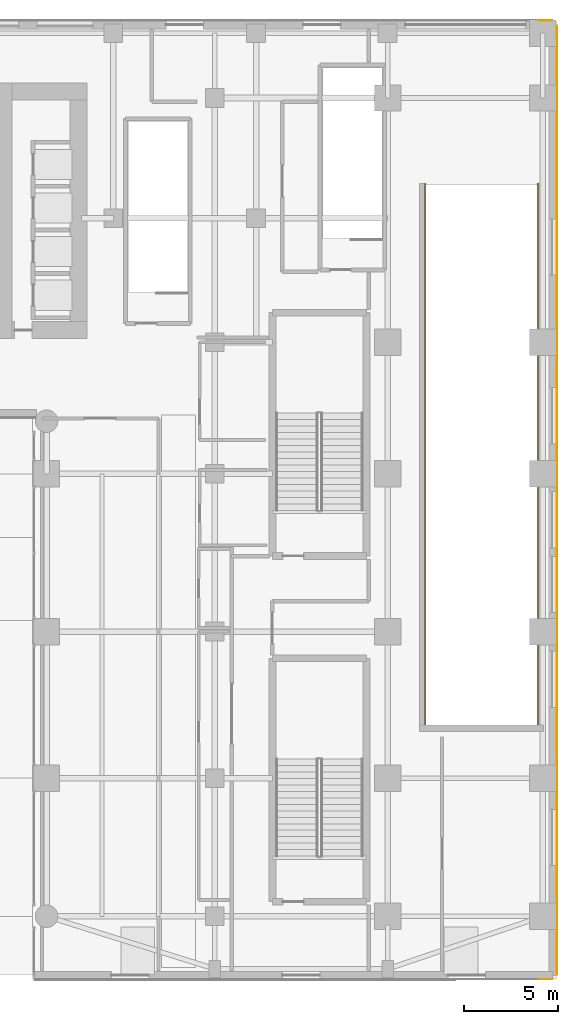
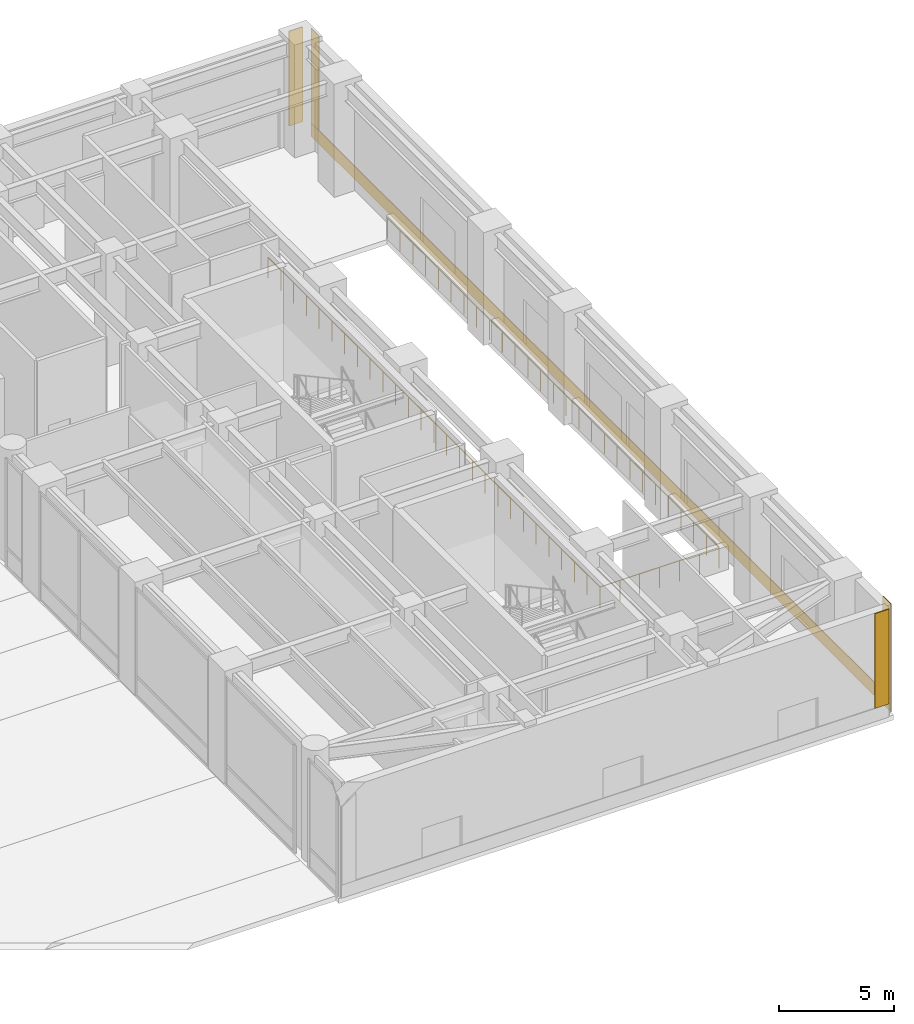
# One storey, part 27 of 28: 5 coverings, 1 railing.
"""IFC4 building model written with IfcOpenShell, lengths in metres."""

from ifc_helpers import new_model, si_unit, direction, frame, origin, origin_2d, place, context, subcontext, project, spatial, polyline, circle, outline, extrude, material, layer, layer_set, type_object, element, save


model = new_model("IFC4")

# Units and contexts
model_context = context("Model", 3, precision=1e-05, world=origin(), true_north=direction((0.0, 1.0)))
body_context = subcontext(model_context, "Body", "Model", "MODEL_VIEW")
ifc_project = project(units=[si_unit("LENGTHUNIT", "METRE"), si_unit("AREAUNIT", "SQUARE_METRE"), si_unit("VOLUMEUNIT", "CUBIC_METRE"), si_unit("PLANEANGLEUNIT", "RADIAN"), si_unit("MASSUNIT", "GRAM", prefix="KILO")], contexts=[model_context])

# Site, building, storey
site_placement = place(None, origin())
site = spatial("IfcSite", under=ifc_project, at=site_placement, CompositionType="ELEMENT")
building_placement = place(site_placement, origin())
building = spatial("IfcBuilding", under=site, at=building_placement, Name="Tolvann Quenvar Hotel", CompositionType="ELEMENT")
storey_placement = place(building_placement, origin())
storey = spatial("IfcBuildingStorey", under=building, at=storey_placement, Name="L00", CompositionType="ELEMENT", Elevation=0.0)

# Coverings
ifc_material_1 = material(Name="Kiln-fired red architectural face brick cladding", Category="masonry")
ifc_layer_1 = layer(ifc_material_1, 0.0400390625)
ifc_layer_set_1 = layer_set([ifc_layer_1], Name="Kiln-fired red architectural face brick cladding")
covering_type_1 = type_object("IfcCoveringType", Name="COV_CLAD_BRICK_40", PredefinedType="CLADDING", material=ifc_layer_set_1)
covering_1_placement = place(storey_placement, frame((0.0, 0.0, 0.699951171875)))
element("IfcCovering", 1, at=covering_1_placement, inside=storey, type_object=covering_type_1, Name="Brick Pier Cladding (L00-E04-P2)", PredefinedType="CLADDING", context=body_context, shape_type="SweptSolid", body=[
    extrude(outline(polyline([(64.43994140625, -2.5), (65.139892578125, -2.5), (65.139892578125, -2.5400390625), (64.43994140625, -2.5400390625), (64.43994140625, -2.5)])), origin(), (0.0, 0.0, 1.0), 5.0400390625),
])
covering_2_placement = place(storey_placement, frame((0.0, 0.0, 0.699951171875)))
element("IfcCovering", 2, at=covering_2_placement, inside=storey, type_object=covering_type_1, Name="Brick Pier Cladding (L00-E05-P1)", PredefinedType="CLADDING", context=body_context, shape_type="SweptSolid", body=[
    extrude(outline(polyline([(65.39990234375, -2.239990234375), (65.39990234375, -1.5400390625), (65.43994140625, -1.5400390625), (65.43994140625, -2.239990234375), (65.39990234375, -2.239990234375)])), origin(), (0.0, 0.0, 1.0), 5.0400390625),
])
covering_3_placement = place(storey_placement, frame((0.0, 0.0, 0.699951171875)))
element("IfcCovering", 3, at=covering_3_placement, inside=storey, type_object=covering_type_1, Name="Brick Pier Cladding (L00-E05-P2)", PredefinedType="CLADDING", context=body_context, shape_type="SweptSolid", body=[
    extrude(outline(polyline([(65.39990234375, 47.5400390625), (65.39990234375, 48.239990234375), (65.43994140625, 48.239990234375), (65.43994140625, 47.5400390625), (65.39990234375, 47.5400390625)])), origin(), (0.0, 0.0, 1.0), 5.0400390625),
])
covering_4_placement = place(storey_placement, frame((0.0, 0.0, 0.699951171875)))
element("IfcCovering", 4, at=covering_4_placement, inside=storey, type_object=covering_type_1, Name="Brick Pier Cladding (L00-E06-P1)", PredefinedType="CLADDING", context=body_context, shape_type="SweptSolid", body=[
    extrude(outline(polyline([(65.139892578125, 48.5), (64.43994140625, 48.5), (64.43994140625, 48.5400390625), (65.139892578125, 48.5400390625), (65.139892578125, 48.5)])), origin(), (0.0, 0.0, 1.0), 5.0400390625),
])
ifc_material_2 = material(Name="Moulded buff architectural terracotta spandrel cladding", Category="masonry")
ifc_layer_2 = layer(ifc_material_2, 0.0400390625)
ifc_layer_set_2 = layer_set([ifc_layer_2], Name="Moulded buff architectural terracotta spandrel cladding")
covering_type_2 = type_object("IfcCoveringType", Name="COV_CLAD_TERRA_40", PredefinedType="CLADDING", material=ifc_layer_set_2)
covering_5_placement = place(storey_placement, origin())
element("IfcCovering", 5, at=covering_5_placement, inside=storey, type_object=covering_type_2, Name="Terracotta Spandrel Cladding (L00-E05)", PredefinedType="CLADDING", context=body_context, shape_type="SweptSolid", body=[
    extrude(outline(polyline([(65.39990234375, -2.25), (65.39990234375, 48.25), (65.43994140625, 48.25), (65.43994140625, -2.25), (65.39990234375, -2.25)])), origin(), (0.0, 0.0, 1.0), 0.699951171875),
])

# Railing
ifc_material_3 = material(Name="Brushed 316 marine-grade stainless steel balustrade and laminated safety glass", Category="steel")
railing_type = type_object("IfcRailingType", Name="RAIL_BAL_1100", PredefinedType="BALUSTRADE", material=ifc_material_3)
railing_placement = place(storey_placement, frame((58.39990234375, 39.85009765625, 0.0)))
element("IfcRailing", 6, at=railing_placement, inside=storey, type_object=railing_type, Name="Safety Balustrade BAL-RAMP-L00-U", PredefinedType="BALUSTRADE", context=body_context, shape_type="SweptSolid", body=[
    extrude(circle(Radius=0.02490234375, at=origin_2d()), frame((0.0, 0.0, 1.09521484375), z_axis=(0.0, -1.0, 0.0), x_axis=(1.0, 0.0, 0.0)), (0.0, 0.0, 1.0), 28.900146484375),
    extrude(circle(Radius=0.02490234375, at=origin_2d()), frame((0.0, -28.900146484375, 1.09521484375), z_axis=(1.0, 0.0, 0.0), x_axis=(0.0, 1.0, 0.0)), (0.0, 0.0, 1.0), 6.0),
    extrude(circle(Radius=0.02490234375, at=origin_2d()), frame((6.0, -28.900146484375, 1.09521484375), z_axis=(0.0, 1.0, 0.0), x_axis=(-1.0, 0.0, 0.0)), (0.0, 0.0, 1.0), 28.900146484375),
    extrude(circle(Radius=0.02197265625, at=origin_2d()), origin(), (0.0, 0.0, 1.0), 1.070068359375),
    extrude(circle(Radius=0.02197265625, at=origin_2d()), frame((0.0, -1.111572265625, 0.0)), (0.0, 0.0, 1.0), 1.070068359375),
    extrude(circle(Radius=0.02197265625, at=origin_2d()), frame((0.0, -2.22314453125, 0.0)), (0.0, 0.0, 1.0), 1.070068359375),
    extrude(circle(Radius=0.02197265625, at=origin_2d()), frame((0.0, -3.334716796875, 0.0)), (0.0, 0.0, 1.0), 1.070068359375),
    extrude(circle(Radius=0.02197265625, at=origin_2d()), frame((0.0, -4.4462890625, 0.0)), (0.0, 0.0, 1.0), 1.070068359375),
    extrude(circle(Radius=0.02197265625, at=origin_2d()), frame((0.0, -5.5576171875, 0.0)), (0.0, 0.0, 1.0), 1.070068359375),
    extrude(circle(Radius=0.02197265625, at=origin_2d()), frame((0.0, -6.669189453125, 0.0)), (0.0, 0.0, 1.0), 1.070068359375),
    extrude(circle(Radius=0.02197265625, at=origin_2d()), frame((0.0, -7.78076171875, 0.0)), (0.0, 0.0, 1.0), 1.070068359375),
    extrude(circle(Radius=0.02197265625, at=origin_2d()), frame((0.0, -8.892333984375, 0.0)), (0.0, 0.0, 1.0), 1.070068359375),
    extrude(circle(Radius=0.02197265625, at=origin_2d()), frame((0.0, -10.00390625, 0.0)), (0.0, 0.0, 1.0), 1.070068359375),
    extrude(circle(Radius=0.02197265625, at=origin_2d()), frame((0.0, -11.115478515625, 0.0)), (0.0, 0.0, 1.0), 1.070068359375),
    extrude(circle(Radius=0.02197265625, at=origin_2d()), frame((0.0, -12.22705078125, 0.0)), (0.0, 0.0, 1.0), 1.070068359375),
    extrude(circle(Radius=0.02197265625, at=origin_2d()), frame((0.0, -13.338623046875, 0.0)), (0.0, 0.0, 1.0), 1.070068359375),
    extrude(circle(Radius=0.02197265625, at=origin_2d()), frame((0.0, -14.4501953125, 0.0)), (0.0, 0.0, 1.0), 1.070068359375),
    extrude(circle(Radius=0.02197265625, at=origin_2d()), frame((0.0, -15.5615234375, 0.0)), (0.0, 0.0, 1.0), 1.070068359375),
    extrude(circle(Radius=0.02197265625, at=origin_2d()), frame((0.0, -16.673095703125, 0.0)), (0.0, 0.0, 1.0), 1.070068359375),
    extrude(circle(Radius=0.02197265625, at=origin_2d()), frame((0.0, -17.78466796875, 0.0)), (0.0, 0.0, 1.0), 1.070068359375),
    extrude(circle(Radius=0.02197265625, at=origin_2d()), frame((0.0, -18.896240234375, 0.0)), (0.0, 0.0, 1.0), 1.070068359375),
    extrude(circle(Radius=0.02197265625, at=origin_2d()), frame((0.0, -20.0078125, 0.0)), (0.0, 0.0, 1.0), 1.070068359375),
    extrude(circle(Radius=0.02197265625, at=origin_2d()), frame((0.0, -21.119384765625, 0.0)), (0.0, 0.0, 1.0), 1.070068359375),
    extrude(circle(Radius=0.02197265625, at=origin_2d()), frame((0.0, -22.23095703125, 0.0)), (0.0, 0.0, 1.0), 1.070068359375),
    extrude(circle(Radius=0.02197265625, at=origin_2d()), frame((0.0, -23.342529296875, 0.0)), (0.0, 0.0, 1.0), 1.070068359375),
    extrude(circle(Radius=0.02197265625, at=origin_2d()), frame((0.0, -24.453857421875, 0.0)), (0.0, 0.0, 1.0), 1.070068359375),
    extrude(circle(Radius=0.02197265625, at=origin_2d()), frame((0.0, -25.5654296875, 0.0)), (0.0, 0.0, 1.0), 1.070068359375),
    extrude(circle(Radius=0.02197265625, at=origin_2d()), frame((0.0, -26.677001953125, 0.0)), (0.0, 0.0, 1.0), 1.070068359375),
    extrude(circle(Radius=0.02197265625, at=origin_2d()), frame((0.0, -27.78857421875, 0.0)), (0.0, 0.0, 1.0), 1.070068359375),
    extrude(circle(Radius=0.02197265625, at=origin_2d()), frame((0.0, -28.900146484375, 0.0)), (0.0, 0.0, 1.0), 1.070068359375),
    extrude(circle(Radius=0.02197265625, at=origin_2d()), frame((1.0, -28.900146484375, 0.0)), (0.0, 0.0, 1.0), 1.070068359375),
    extrude(circle(Radius=0.02197265625, at=origin_2d()), frame((2.0, -28.900146484375, 0.0)), (0.0, 0.0, 1.0), 1.070068359375),
    extrude(circle(Radius=0.02197265625, at=origin_2d()), frame((3.0, -28.900146484375, 0.0)), (0.0, 0.0, 1.0), 1.070068359375),
    extrude(circle(Radius=0.02197265625, at=origin_2d()), frame((4.0, -28.900146484375, 0.0)), (0.0, 0.0, 1.0), 1.070068359375),
    extrude(circle(Radius=0.02197265625, at=origin_2d()), frame((5.0, -28.900146484375, 0.0)), (0.0, 0.0, 1.0), 1.070068359375),
    extrude(circle(Radius=0.02197265625, at=origin_2d()), frame((6.0, -28.900146484375, 0.0)), (0.0, 0.0, 1.0), 1.070068359375),
    extrude(circle(Radius=0.02197265625, at=origin_2d()), frame((6.0, -27.78857421875, 0.0)), (0.0, 0.0, 1.0), 1.070068359375),
    extrude(circle(Radius=0.02197265625, at=origin_2d()), frame((6.0, -26.677001953125, 0.0)), (0.0, 0.0, 1.0), 1.070068359375),
    extrude(circle(Radius=0.02197265625, at=origin_2d()), frame((6.0, -25.5654296875, 0.0)), (0.0, 0.0, 1.0), 1.070068359375),
    extrude(circle(Radius=0.02197265625, at=origin_2d()), frame((6.0, -24.453857421875, 0.0)), (0.0, 0.0, 1.0), 1.070068359375),
    extrude(circle(Radius=0.02197265625, at=origin_2d()), frame((6.0, -23.342529296875, 0.0)), (0.0, 0.0, 1.0), 1.070068359375),
    extrude(circle(Radius=0.02197265625, at=origin_2d()), frame((6.0, -22.23095703125, 0.0)), (0.0, 0.0, 1.0), 1.070068359375),
    extrude(circle(Radius=0.02197265625, at=origin_2d()), frame((6.0, -21.119384765625, 0.0)), (0.0, 0.0, 1.0), 1.070068359375),
    extrude(circle(Radius=0.02197265625, at=origin_2d()), frame((6.0, -20.0078125, 0.0)), (0.0, 0.0, 1.0), 1.070068359375),
    extrude(circle(Radius=0.02197265625, at=origin_2d()), frame((6.0, -18.896240234375, 0.0)), (0.0, 0.0, 1.0), 1.070068359375),
    extrude(circle(Radius=0.02197265625, at=origin_2d()), frame((6.0, -17.78466796875, 0.0)), (0.0, 0.0, 1.0), 1.070068359375),
    extrude(circle(Radius=0.02197265625, at=origin_2d()), frame((6.0, -16.673095703125, 0.0)), (0.0, 0.0, 1.0), 1.070068359375),
    extrude(circle(Radius=0.02197265625, at=origin_2d()), frame((6.0, -15.5615234375, 0.0)), (0.0, 0.0, 1.0), 1.070068359375),
    extrude(circle(Radius=0.02197265625, at=origin_2d()), frame((6.0, -14.4501953125, 0.0)), (0.0, 0.0, 1.0), 1.070068359375),
    extrude(circle(Radius=0.02197265625, at=origin_2d()), frame((6.0, -13.338623046875, 0.0)), (0.0, 0.0, 1.0), 1.070068359375),
    extrude(circle(Radius=0.02197265625, at=origin_2d()), frame((6.0, -12.22705078125, 0.0)), (0.0, 0.0, 1.0), 1.070068359375),
    extrude(circle(Radius=0.02197265625, at=origin_2d()), frame((6.0, -11.115478515625, 0.0)), (0.0, 0.0, 1.0), 1.070068359375),
    extrude(circle(Radius=0.02197265625, at=origin_2d()), frame((6.0, -10.00390625, 0.0)), (0.0, 0.0, 1.0), 1.070068359375),
    extrude(circle(Radius=0.02197265625, at=origin_2d()), frame((6.0, -8.892333984375, 0.0)), (0.0, 0.0, 1.0), 1.070068359375),
    extrude(circle(Radius=0.02197265625, at=origin_2d()), frame((6.0, -7.78076171875, 0.0)), (0.0, 0.0, 1.0), 1.070068359375),
    extrude(circle(Radius=0.02197265625, at=origin_2d()), frame((6.0, -6.669189453125, 0.0)), (0.0, 0.0, 1.0), 1.070068359375),
    extrude(circle(Radius=0.02197265625, at=origin_2d()), frame((6.0, -5.5576171875, 0.0)), (0.0, 0.0, 1.0), 1.070068359375),
    extrude(circle(Radius=0.02197265625, at=origin_2d()), frame((6.0, -4.4462890625, 0.0)), (0.0, 0.0, 1.0), 1.070068359375),
    extrude(circle(Radius=0.02197265625, at=origin_2d()), frame((6.0, -3.334716796875, 0.0)), (0.0, 0.0, 1.0), 1.070068359375),
    extrude(circle(Radius=0.02197265625, at=origin_2d()), frame((6.0, -2.22314453125, 0.0)), (0.0, 0.0, 1.0), 1.070068359375),
    extrude(circle(Radius=0.02197265625, at=origin_2d()), frame((6.0, -1.111572265625, 0.0)), (0.0, 0.0, 1.0), 1.070068359375),
    extrude(circle(Radius=0.02197265625, at=origin_2d()), frame((6.0, 0.0, 0.0)), (0.0, 0.0, 1.0), 1.070068359375),
])

save(model, "model.ifc")
